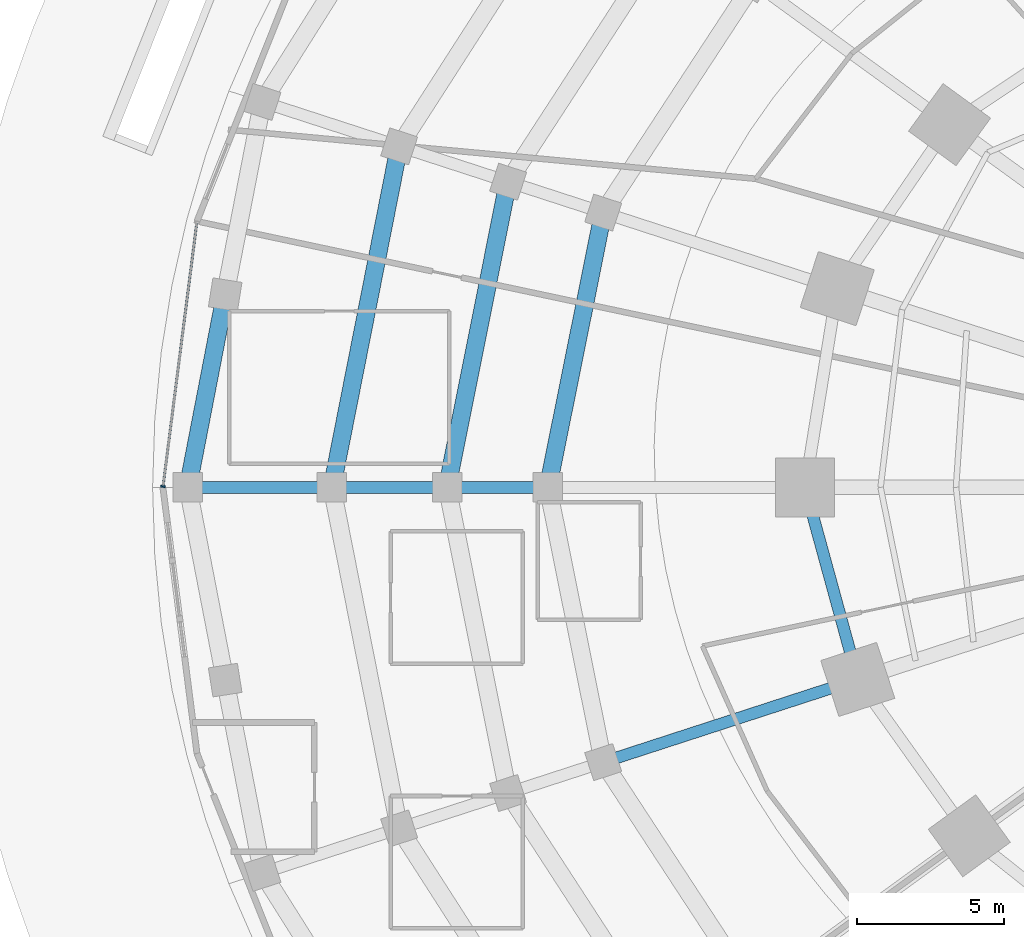
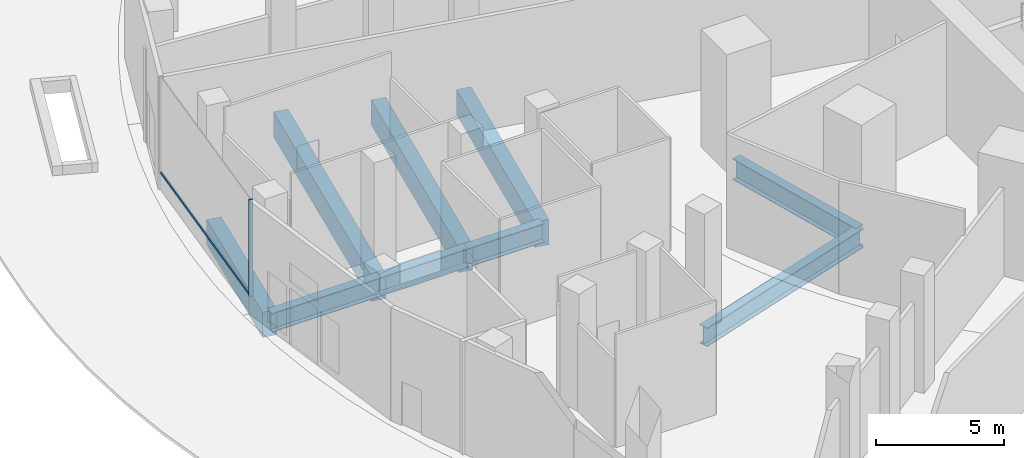
# One storey, part 6 of 23: 9 beams, 2 members, 1 element without a shape of its own.
"""IFC4 building model written with IfcOpenShell, lengths in metres."""

from ifc_helpers import new_model, si_unit, direction, frame, origin, origin_2d, place, context, subcontext, project, spatial, rectangle, i_section, extrude, material, material_profile, profile_set, type_object, element, aggregate, save


model = new_model("IFC4")

# Units and contexts
model_context = context("Model", 3, precision=1e-05, world=origin(), true_north=direction((0.0, 1.0)))
body_context = subcontext(model_context, "Body", "Model", "MODEL_VIEW")
ifc_project = project(units=[si_unit("LENGTHUNIT", "METRE"), si_unit("AREAUNIT", "SQUARE_METRE"), si_unit("VOLUMEUNIT", "CUBIC_METRE"), si_unit("PLANEANGLEUNIT", "RADIAN"), si_unit("MASSUNIT", "GRAM", prefix="KILO")], contexts=[model_context])

# Site, building, storey
site_placement = place(None, origin())
site = spatial("IfcSite", under=ifc_project, at=site_placement, CompositionType="ELEMENT")
building_placement = place(site_placement, origin())
building = spatial("IfcBuilding", under=site, at=building_placement, Name="Marramba Exchange Tower", CompositionType="ELEMENT")
storey_placement = place(building_placement, origin())
storey = spatial("IfcBuildingStorey", under=building, at=storey_placement, Name="L00", CompositionType="ELEMENT", Elevation=0.0)

# Beams
ifc_material_1 = material(Name="Concrete N50", Category="concrete")
ifc_material_profile_1 = material_profile(ifc_material_1, rectangle(XDim=0.60009765625, YDim=1.199951171875, at=origin_2d()), Name="RC 600x1200")
ifc_profile_set_1 = profile_set([ifc_material_profile_1], Name="Concrete N50")
beam_type_1 = type_object("IfcBeamType", Name="Edge beam RC 600x1200 N50", PredefinedType="SPANDREL", material=ifc_profile_set_1)
beam_1_placement = place(storey_placement, frame((-41.631591796875, 6.557373046875, -0.800048828125), z_axis=(-0.189898017432, -0.981803821023, 0.0), x_axis=(0.981803821023, -0.189898017432, 0.0)))
element("IfcBeam", 1, at=beam_1_placement, inside=storey, type_object=beam_type_1, Name="Edge beam L00 P0C10 half 2", PredefinedType="SPANDREL", context=body_context, shape_type="SweptSolid", body=[
    extrude(rectangle(XDim=0.60009765625, YDim=1.199951171875, at=origin_2d()), origin(), (0.0, 0.0, 1.0), 6.678955078125),
])
beam_2_placement = place(storey_placement, frame((-35.712158203125, 11.603515625, -0.800048828125), z_axis=(-0.19344375153, -0.981111367274, 0.0), x_axis=(0.981111367274, -0.19344375153, 0.0)))
element("IfcBeam", 2, at=beam_2_placement, inside=storey, type_object=beam_type_1, Name="Edge beam L00 P1C10", PredefinedType="SPANDREL", context=body_context, shape_type="SweptSolid", body=[
    extrude(rectangle(XDim=0.60009765625, YDim=1.199951171875, at=origin_2d()), origin(), (0.0, 0.0, 1.0), 11.826904296875),
])
beam_3_placement = place(storey_placement, frame((-32.005126953125, 10.399169921875, -0.800048828125), z_axis=(-0.195673363142, -0.980669126136, 0.0), x_axis=(0.980669126136, -0.195673363142, 0.0)))
element("IfcBeam", 3, at=beam_3_placement, inside=storey, type_object=beam_type_1, Name="Edge beam L00 P2C10", PredefinedType="SPANDREL", context=body_context, shape_type="SweptSolid", body=[
    extrude(rectangle(XDim=0.60009765625, YDim=1.199951171875, at=origin_2d()), origin(), (0.0, 0.0, 1.0), 10.604248046875),
])
beam_4_placement = place(storey_placement, frame((-28.770263671875, 9.34814453125, -0.800048828125), z_axis=(-0.197125420847, -0.980378278246, 0.0), x_axis=(0.980378278246, -0.197125420847, 0.0)))
element("IfcBeam", 4, at=beam_4_placement, inside=storey, type_object=beam_type_1, Name="Edge beam L00 P3C10", PredefinedType="SPANDREL", context=body_context, shape_type="SweptSolid", body=[
    extrude(rectangle(XDim=0.60009765625, YDim=1.199951171875, at=origin_2d()), origin(), (0.0, 0.0, 1.0), 9.53515625),
])

# Curtain wall, members
ifc_material_2 = material(Name="Aluminium framing, bronze anodised", Category="aluminium")
curtain_wall_type = type_object("IfcCurtainWallType", Name="Exchange hall glazed wall", PredefinedType="USERDEFINED", material=ifc_material_2)
curtain_wall_placement = place(storey_placement, origin())
curtain_wall = element("IfcCurtainWall", 5, at=curtain_wall_placement, inside=storey, type_object=curtain_wall_type, Name="Curtain wall CW1 L00 F15", ObjectType="RIBBON CURTAIN WALL", PredefinedType="USERDEFINED")
ifc_material_3 = material(Name="Aluminium mullion, bronze anodised", Category="aluminium")
ifc_material_profile_2 = material_profile(ifc_material_3, rectangle(XDim=0.159912109375, YDim=0.06005859375, at=origin_2d()), Name="CW1 mullion 60x160")
ifc_profile_set_2 = profile_set([ifc_material_profile_2], Name="Aluminium mullion, bronze anodised")
member_type_1 = type_object("IfcMemberType", Name="Exchange hall glazed wall mullion", PredefinedType="MULLION", material=ifc_profile_set_2)
member_1_placement = place(storey_placement, frame((-43.74609375, 0.02978515625, 0.800048828125), z_axis=(0.0, 0.0, 1.0), x_axis=(0.99189493419, -0.127060771002, 0.0)))
member_1 = element("IfcMember", 6, at=member_1_placement, type_object=member_type_1, Name="CW1 mullion 2", PredefinedType="MULLION", context=body_context, shape_type="SweptSolid", body=[
    extrude(rectangle(XDim=0.159912109375, YDim=0.06005859375, at=origin_2d()), origin(), (0.0, 0.0, 1.0), 4.599853515625),
])
ifc_material_4 = material(Name="Aluminium transom, bronze anodised", Category="aluminium")
ifc_material_profile_3 = material_profile(ifc_material_4, rectangle(XDim=0.06005859375, YDim=0.1201171875, at=origin_2d()), Name="CW1 transom 60x120")
ifc_profile_set_3 = profile_set([ifc_material_profile_3], Name="Aluminium transom, bronze anodised")
member_type_2 = type_object("IfcMemberType", Name="Exchange hall glazed wall transom", PredefinedType="USERDEFINED", material=ifc_profile_set_3)
member_2_placement = place(storey_placement, frame((-42.597900390625, 8.993408203125, 0.830078125), z_axis=(-0.127073371523, -0.991893319995, 0.0), x_axis=(0.991893319995, -0.127073371523, 0.0)))
member_2 = element("IfcMember", 7, at=member_2_placement, type_object=member_type_2, Name="CW1 sill transom", ObjectType="TRANSOM", PredefinedType="USERDEFINED", context=body_context, shape_type="SweptSolid", body=[
    extrude(rectangle(XDim=0.06005859375, YDim=0.1201171875, at=origin_2d()), origin(), (0.0, 0.0, 1.0), 9.0068359375),
])
aggregate(curtain_wall, [member_1, member_2])

# Beams
ifc_material_5 = material(Name="Steel AS/NZS 3679.2 grade 300", Category="steel")
ifc_material_profile_4 = material_profile(ifc_material_5, i_section(OverallWidth=0.39990234375, OverallDepth=0.89990234375, WebThickness=0.01611328125, FlangeThickness=0.031982421875, at=origin_2d()), Name="900WB282")
ifc_profile_set_4 = profile_set([ifc_material_profile_4], Name="Steel AS/NZS 3679.2 grade 300")
beam_type_2 = type_object("IfcBeamType", Name="Radial girder 900WB282", PredefinedType="BEAM", material=ifc_profile_set_4)
beam_5_placement = place(storey_placement, frame((-42.89990234375, 0.0, -0.64990234375), z_axis=(1.0, 0.0, 0.0), x_axis=(0.0, 1.0, 0.0)))
element("IfcBeam", 8, at=beam_5_placement, inside=storey, type_object=beam_type_2, Name="Radial girder L00 P0C11", PredefinedType="BEAM", context=body_context, shape_type="SweptSolid", body=[
    extrude(i_section(OverallWidth=0.39990234375, OverallDepth=0.89990234375, WebThickness=0.01611328125, FlangeThickness=0.031982421875, at=origin_2d()), origin(), (0.0, 0.0, 1.0), 4.89990234375),
])
beam_6_placement = place(storey_placement, frame((-38.0, 0.0, -0.64990234375), z_axis=(1.0, 0.0, 0.0), x_axis=(0.0, 1.0, 0.0)))
element("IfcBeam", 9, at=beam_6_placement, inside=storey, type_object=beam_type_2, Name="Radial girder L00 P1C11", PredefinedType="BEAM", context=body_context, shape_type="SweptSolid", body=[
    extrude(i_section(OverallWidth=0.39990234375, OverallDepth=0.89990234375, WebThickness=0.01611328125, FlangeThickness=0.031982421875, at=origin_2d()), origin(), (0.0, 0.0, 1.0), 3.919921875),
])
beam_7_placement = place(storey_placement, frame((-34.080078125, 0.0, -0.64990234375), z_axis=(1.0, 0.0, 0.0), x_axis=(0.0, 1.0, 0.0)))
element("IfcBeam", 10, at=beam_7_placement, inside=storey, type_object=beam_type_2, Name="Radial girder L00 P2C11", PredefinedType="BEAM", context=body_context, shape_type="SweptSolid", body=[
    extrude(i_section(OverallWidth=0.39990234375, OverallDepth=0.89990234375, WebThickness=0.01611328125, FlangeThickness=0.031982421875, at=origin_2d()), origin(), (0.0, 0.0, 1.0), 3.43017578125),
])
beam_8_placement = place(storey_placement, frame((-28.770263671875, -9.34814453125, -0.64990234375), z_axis=(0.951052783345, 0.309028482977, 0.0), x_axis=(-0.309028482977, 0.951052783345, 0.0)))
element("IfcBeam", 11, at=beam_8_placement, inside=storey, type_object=beam_type_2, Name="Radial girder L00 P3C12", PredefinedType="BEAM", context=body_context, shape_type="SweptSolid", body=[
    extrude(i_section(OverallWidth=0.39990234375, OverallDepth=0.89990234375, WebThickness=0.01611328125, FlangeThickness=0.031982421875, at=origin_2d()), origin(), (0.0, 0.0, 1.0), 9.106689453125),
])
ifc_material_profile_5 = material_profile(ifc_material_5, i_section(OverallWidth=0.39990234375, OverallDepth=1.0, WebThickness=0.01611328125, FlangeThickness=0.031982421875, at=origin_2d()), Name="1000WB322")
ifc_profile_set_5 = profile_set([ifc_material_profile_5], Name="Steel AS/NZS 3679.2 grade 300")
beam_type_3 = type_object("IfcBeamType", Name="Ring beam 1000WB322", PredefinedType="SPANDREL", material=ifc_profile_set_5)
beam_9_placement = place(storey_placement, frame((-21.89990234375, 0.0, -0.699951171875), z_axis=(0.264291166956, -0.964442937176, 0.0), x_axis=(0.964442937176, 0.264291166956, 0.0)))
element("IfcBeam", 12, at=beam_9_placement, inside=storey, type_object=beam_type_3, Name="Ring beam L00 TC11-TC12", PredefinedType="SPANDREL", context=body_context, shape_type="SweptSolid", body=[
    extrude(i_section(OverallWidth=0.39990234375, OverallDepth=1.0, WebThickness=0.01611328125, FlangeThickness=0.031982421875, at=origin_2d()), origin(), (0.0, 0.0, 1.0), 6.77490234375),
])

save(model, "model.ifc")
